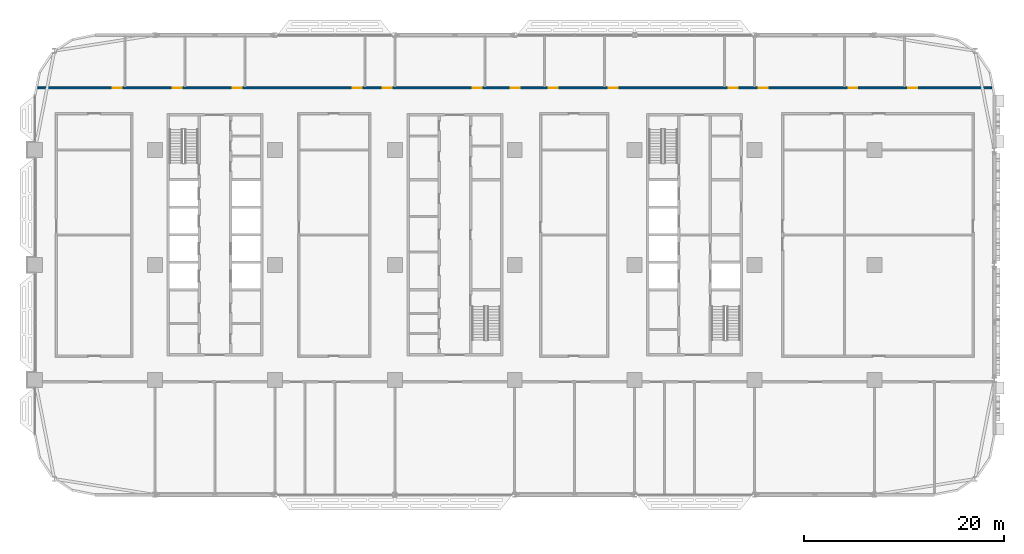
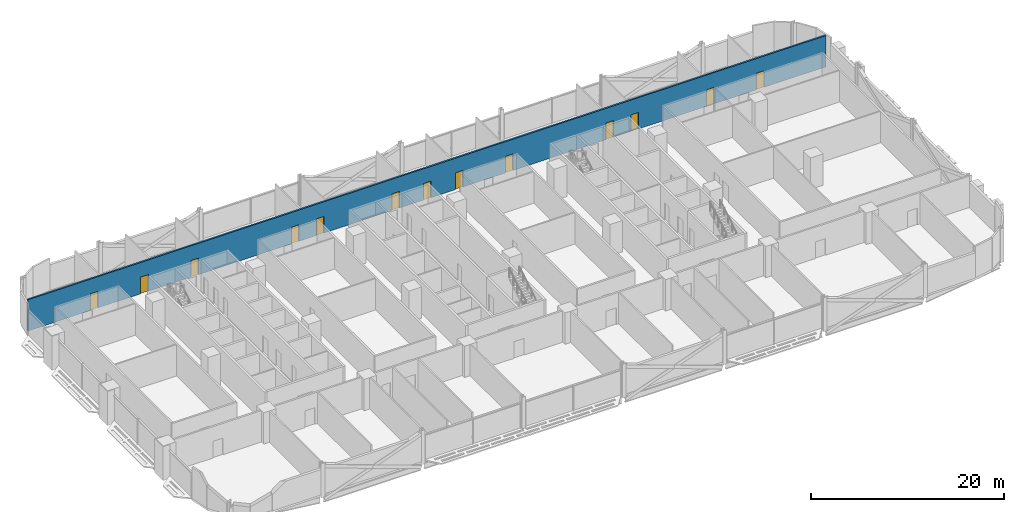
# One storey, part 16 of 30: 13 doors, 1 wall, 13 openings.
"""IFC4 building model written with IfcOpenShell, lengths in metres."""

from ifc_helpers import new_model, si_unit, direction, frame, frame_2d, origin, place, context, subcontext, project, spatial, rectangle, extrude, material, layer, layer_set, type_object, element, fill, save


model = new_model("IFC4")

# Units and contexts
model_context = context("Model", 3, precision=1e-05, world=origin(), true_north=direction((0.0, 1.0)))
body_context = subcontext(model_context, "Body", "Model", "MODEL_VIEW")
ifc_project = project(units=[si_unit("LENGTHUNIT", "METRE"), si_unit("AREAUNIT", "SQUARE_METRE"), si_unit("VOLUMEUNIT", "CUBIC_METRE"), si_unit("PLANEANGLEUNIT", "RADIAN"), si_unit("MASSUNIT", "GRAM", prefix="KILO")], contexts=[model_context])

# Site, building, storey
site_placement = place(None, origin())
site = spatial("IfcSite", under=ifc_project, at=site_placement, CompositionType="ELEMENT")
building_placement = place(site_placement, origin())
building = spatial("IfcBuilding", under=site, at=building_placement, Name="Mahtab Terrace Research Tower", CompositionType="ELEMENT")
storey_placement = place(building_placement, frame((0.0, 0.0, 50.300048828125)))
storey = spatial("IfcBuildingStorey", under=building, at=storey_placement, Name="L11", CompositionType="ELEMENT", Elevation=50.300048828125)

# Wall, openings, doors
ifc_material_1 = material(Name="Gypsum board corridor wall on steel studs", Category="steel")
ifc_layer = layer(ifc_material_1, 0.199951171875)
ifc_layer_set = layer_set([ifc_layer], Name="WALL CORRIDOR 200")
wall_type = type_object("IfcWallType", Name="WALL CORRIDOR 200", PredefinedType="PARTITIONING", material=ifc_layer_set)
wall_placement = place(storey_placement, frame((-41.707763671875, 17.699951171875, 0.0), z_axis=(0.0, 0.0, 1.0), x_axis=(1.0, 0.0, 0.0)))
wall = element("IfcWall", 1, at=wall_placement, inside=storey, type_object=wall_type, Name="L11-W026", PredefinedType="PARTITIONING", context=body_context, shape_type="SweptSolid", body=[
    extrude(rectangle(XDim=95.41552734375, YDim=0.199951171875, at=frame_2d((47.707763671875, 0.0))), origin(), (0.0, 0.0, 1.0), 3.9599609375),
])
opening_1_placement = place(wall_placement, frame((7.5, 0.0, 0.0)))
opening_1 = element("IfcOpeningElement", 2, at=opening_1_placement, cuts=wall, Name="Opening L11-131", PredefinedType="OPENING", context=body_context, shape_type="SweptSolid", body=[
    extrude(rectangle(XDim=0.89990234375, YDim=2.10009765625, at=frame_2d((0.449951171875, 1.050048828125))), frame((0.0, 0.10986328125, 0.0), z_axis=(0.0, -1.0, 0.0), x_axis=(1.0, 0.0, 0.0)), (0.0, 0.0, 1.0), 0.219970703125),
])
opening_2_placement = place(wall_placement, frame((13.5, 0.0, 0.0)))
opening_2 = element("IfcOpeningElement", 3, at=opening_2_placement, cuts=wall, Name="Opening L11-132", PredefinedType="OPENING", context=body_context, shape_type="SweptSolid", body=[
    extrude(rectangle(XDim=0.89990234375, YDim=2.10009765625, at=frame_2d((0.449951171875, 1.050048828125))), frame((0.0, 0.10986328125, 0.0), z_axis=(0.0, -1.0, 0.0), x_axis=(1.0, 0.0, 0.0)), (0.0, 0.0, 1.0), 0.219970703125),
])
opening_3_placement = place(wall_placement, frame((19.5, 0.0, 0.0)))
opening_3 = element("IfcOpeningElement", 4, at=opening_3_placement, cuts=wall, Name="Opening L11-133", PredefinedType="OPENING", context=body_context, shape_type="SweptSolid", body=[
    extrude(rectangle(XDim=0.89990234375, YDim=2.10009765625, at=frame_2d((0.449951171875, 1.050048828125))), frame((0.0, 0.10986328125, 0.0), z_axis=(0.0, -1.0, 0.0), x_axis=(1.0, 0.0, 0.0)), (0.0, 0.0, 1.0), 0.219970703125),
])
opening_4_placement = place(wall_placement, frame((31.5, 0.0, 0.0)))
opening_4 = element("IfcOpeningElement", 5, at=opening_4_placement, cuts=wall, Name="Opening L11-134", PredefinedType="OPENING", context=body_context, shape_type="SweptSolid", body=[
    extrude(rectangle(XDim=0.89990234375, YDim=2.10009765625, at=frame_2d((0.449951171875, 1.050048828125))), frame((0.0, 0.10986328125, 0.0), z_axis=(0.0, -1.0, 0.0), x_axis=(1.0, 0.0, 0.0)), (0.0, 0.0, 1.0), 0.219970703125),
])
opening_5_placement = place(wall_placement, frame((34.5, 0.0, 0.0)))
opening_5 = element("IfcOpeningElement", 6, at=opening_5_placement, cuts=wall, Name="Opening L11-135", PredefinedType="OPENING", context=body_context, shape_type="SweptSolid", body=[
    extrude(rectangle(XDim=0.89990234375, YDim=2.10009765625, at=frame_2d((0.449951171875, 1.050048828125))), frame((0.0, 0.10986328125, 0.0), z_axis=(0.0, -1.0, 0.0), x_axis=(1.0, 0.0, 0.0)), (0.0, 0.0, 1.0), 0.219970703125),
])
opening_6_placement = place(wall_placement, frame((43.5, 0.0, 0.0)))
opening_6 = element("IfcOpeningElement", 7, at=opening_6_placement, cuts=wall, Name="Opening L11-136", PredefinedType="OPENING", context=body_context, shape_type="SweptSolid", body=[
    extrude(rectangle(XDim=0.89990234375, YDim=2.10009765625, at=frame_2d((0.449951171875, 1.050048828125))), frame((0.0, 0.10986328125, 0.0), z_axis=(0.0, -1.0, 0.0), x_axis=(1.0, 0.0, 0.0)), (0.0, 0.0, 1.0), 0.219970703125),
])
opening_7_placement = place(wall_placement, frame((47.300048828125, 0.0, 0.0)))
opening_7 = element("IfcOpeningElement", 8, at=opening_7_placement, cuts=wall, Name="Opening L11-137", PredefinedType="OPENING", context=body_context, shape_type="SweptSolid", body=[
    extrude(rectangle(XDim=0.89990234375, YDim=2.10009765625, at=frame_2d((0.449951171875, 1.050048828125))), frame((0.0, 0.10986328125, 0.0), z_axis=(0.0, -1.0, 0.0), x_axis=(1.0, 0.0, 0.0)), (0.0, 0.0, 1.0), 0.219970703125),
])
opening_8_placement = place(wall_placement, frame((51.10009765625, 0.0, 0.0)))
opening_8 = element("IfcOpeningElement", 9, at=opening_8_placement, cuts=wall, Name="Opening L11-138", PredefinedType="OPENING", context=body_context, shape_type="SweptSolid", body=[
    extrude(rectangle(XDim=0.89990234375, YDim=2.10009765625, at=frame_2d((0.449951171875, 1.050048828125))), frame((0.0, 0.10986328125, 0.0), z_axis=(0.0, -1.0, 0.0), x_axis=(1.0, 0.0, 0.0)), (0.0, 0.0, 1.0), 0.219970703125),
])
opening_9_placement = place(wall_placement, frame((57.10009765625, 0.0, 0.0)))
opening_9 = element("IfcOpeningElement", 10, at=opening_9_placement, cuts=wall, Name="Opening L11-139", PredefinedType="OPENING", context=body_context, shape_type="SweptSolid", body=[
    extrude(rectangle(XDim=0.89990234375, YDim=2.10009765625, at=frame_2d((0.449951171875, 1.050048828125))), frame((0.0, 0.10986328125, 0.0), z_axis=(0.0, -1.0, 0.0), x_axis=(1.0, 0.0, 0.0)), (0.0, 0.0, 1.0), 0.219970703125),
])
opening_10_placement = place(wall_placement, frame((69.10009765625, 0.0, 0.0)))
opening_10 = element("IfcOpeningElement", 11, at=opening_10_placement, cuts=wall, Name="Opening L11-140", PredefinedType="OPENING", context=body_context, shape_type="SweptSolid", body=[
    extrude(rectangle(XDim=0.89990234375, YDim=2.10009765625, at=frame_2d((0.449951171875, 1.050048828125))), frame((0.0, 0.10986328125, 0.0), z_axis=(0.0, -1.0, 0.0), x_axis=(1.0, 0.0, 0.0)), (0.0, 0.0, 1.0), 0.219970703125),
])
opening_11_placement = place(wall_placement, frame((72.10009765625, 0.0, 0.0)))
opening_11 = element("IfcOpeningElement", 12, at=opening_11_placement, cuts=wall, Name="Opening L11-141", PredefinedType="OPENING", context=body_context, shape_type="SweptSolid", body=[
    extrude(rectangle(XDim=0.89990234375, YDim=2.10009765625, at=frame_2d((0.449951171875, 1.050048828125))), frame((0.0, 0.10986328125, 0.0), z_axis=(0.0, -1.0, 0.0), x_axis=(1.0, 0.0, 0.0)), (0.0, 0.0, 1.0), 0.219970703125),
])
opening_12_placement = place(wall_placement, frame((81.10009765625, 0.0, 0.0)))
opening_12 = element("IfcOpeningElement", 13, at=opening_12_placement, cuts=wall, Name="Opening L11-142", PredefinedType="OPENING", context=body_context, shape_type="SweptSolid", body=[
    extrude(rectangle(XDim=0.89990234375, YDim=2.10009765625, at=frame_2d((0.449951171875, 1.050048828125))), frame((0.0, 0.10986328125, 0.0), z_axis=(0.0, -1.0, 0.0), x_axis=(1.0, 0.0, 0.0)), (0.0, 0.0, 1.0), 0.219970703125),
])
opening_13_placement = place(wall_placement, frame((87.10009765625, 0.0, 0.0)))
opening_13 = element("IfcOpeningElement", 14, at=opening_13_placement, cuts=wall, Name="Opening L11-143", PredefinedType="OPENING", context=body_context, shape_type="SweptSolid", body=[
    extrude(rectangle(XDim=0.89990234375, YDim=2.10009765625, at=frame_2d((0.449951171875, 1.050048828125))), frame((0.0, 0.10986328125, 0.0), z_axis=(0.0, -1.0, 0.0), x_axis=(1.0, 0.0, 0.0)), (0.0, 0.0, 1.0), 0.219970703125),
])
ifc_material_2 = material(Name="Timber door leaf in steel frame", Category="steel")
door_type = type_object("IfcDoorType", Name="DOOR 0900X2100 FD30S", OperationType="SINGLE_SWING_LEFT", PredefinedType="DOOR", material=ifc_material_2)
door_1_placement = place(opening_1_placement, origin())
door_1 = element("IfcDoor", 15, at=door_1_placement, inside=storey, type_object=door_type, Name="Door L11-131", OperationType="SINGLE_SWING_LEFT", OverallHeight=2.10009765625, OverallWidth=0.89990234375, PredefinedType="DOOR", context=body_context, shape_type="SweptSolid", body=[
    extrude(rectangle(XDim=0.89990234375, YDim=2.10009765625, at=frame_2d((0.449951171875, 1.050048828125))), frame((0.0, 0.02490234375, 0.0), z_axis=(0.0, -1.0, 0.0), x_axis=(1.0, 0.0, 0.0)), (0.0, 0.0, 1.0), 0.050048828125),
])
fill(opening_1, door_1)
door_2_placement = place(opening_2_placement, origin())
door_2 = element("IfcDoor", 16, at=door_2_placement, inside=storey, type_object=door_type, Name="Door L11-132", OperationType="SINGLE_SWING_LEFT", OverallHeight=2.10009765625, OverallWidth=0.89990234375, PredefinedType="DOOR", context=body_context, shape_type="SweptSolid", body=[
    extrude(rectangle(XDim=0.89990234375, YDim=2.10009765625, at=frame_2d((0.449951171875, 1.050048828125))), frame((0.0, 0.02490234375, 0.0), z_axis=(0.0, -1.0, 0.0), x_axis=(1.0, 0.0, 0.0)), (0.0, 0.0, 1.0), 0.050048828125),
])
fill(opening_2, door_2)
door_3_placement = place(opening_3_placement, origin())
door_3 = element("IfcDoor", 17, at=door_3_placement, inside=storey, type_object=door_type, Name="Door L11-133", OperationType="SINGLE_SWING_LEFT", OverallHeight=2.10009765625, OverallWidth=0.89990234375, PredefinedType="DOOR", context=body_context, shape_type="SweptSolid", body=[
    extrude(rectangle(XDim=0.89990234375, YDim=2.10009765625, at=frame_2d((0.449951171875, 1.050048828125))), frame((0.0, 0.02490234375, 0.0), z_axis=(0.0, -1.0, 0.0), x_axis=(1.0, 0.0, 0.0)), (0.0, 0.0, 1.0), 0.050048828125),
])
fill(opening_3, door_3)
door_4_placement = place(opening_4_placement, origin())
door_4 = element("IfcDoor", 18, at=door_4_placement, inside=storey, type_object=door_type, Name="Door L11-134", OperationType="SINGLE_SWING_LEFT", OverallHeight=2.10009765625, OverallWidth=0.89990234375, PredefinedType="DOOR", context=body_context, shape_type="SweptSolid", body=[
    extrude(rectangle(XDim=0.89990234375, YDim=2.10009765625, at=frame_2d((0.449951171875, 1.050048828125))), frame((0.0, 0.02490234375, 0.0), z_axis=(0.0, -1.0, 0.0), x_axis=(1.0, 0.0, 0.0)), (0.0, 0.0, 1.0), 0.050048828125),
])
fill(opening_4, door_4)
door_5_placement = place(opening_5_placement, origin())
door_5 = element("IfcDoor", 19, at=door_5_placement, inside=storey, type_object=door_type, Name="Door L11-135", OperationType="SINGLE_SWING_LEFT", OverallHeight=2.10009765625, OverallWidth=0.89990234375, PredefinedType="DOOR", context=body_context, shape_type="SweptSolid", body=[
    extrude(rectangle(XDim=0.89990234375, YDim=2.10009765625, at=frame_2d((0.449951171875, 1.050048828125))), frame((0.0, 0.02490234375, 0.0), z_axis=(0.0, -1.0, 0.0), x_axis=(1.0, 0.0, 0.0)), (0.0, 0.0, 1.0), 0.050048828125),
])
fill(opening_5, door_5)
door_6_placement = place(opening_6_placement, origin())
door_6 = element("IfcDoor", 20, at=door_6_placement, inside=storey, type_object=door_type, Name="Door L11-136", OperationType="SINGLE_SWING_LEFT", OverallHeight=2.10009765625, OverallWidth=0.89990234375, PredefinedType="DOOR", context=body_context, shape_type="SweptSolid", body=[
    extrude(rectangle(XDim=0.89990234375, YDim=2.10009765625, at=frame_2d((0.449951171875, 1.050048828125))), frame((0.0, 0.02490234375, 0.0), z_axis=(0.0, -1.0, 0.0), x_axis=(1.0, 0.0, 0.0)), (0.0, 0.0, 1.0), 0.050048828125),
])
fill(opening_6, door_6)
door_7_placement = place(opening_7_placement, origin())
door_7 = element("IfcDoor", 21, at=door_7_placement, inside=storey, type_object=door_type, Name="Door L11-137", OperationType="SINGLE_SWING_RIGHT", OverallHeight=2.10009765625, OverallWidth=0.89990234375, PredefinedType="DOOR", context=body_context, shape_type="SweptSolid", body=[
    extrude(rectangle(XDim=0.89990234375, YDim=2.10009765625, at=frame_2d((0.449951171875, 1.050048828125))), frame((0.0, 0.02490234375, 0.0), z_axis=(0.0, -1.0, 0.0), x_axis=(1.0, 0.0, 0.0)), (0.0, 0.0, 1.0), 0.050048828125),
])
fill(opening_7, door_7)
door_8_placement = place(opening_8_placement, origin())
door_8 = element("IfcDoor", 22, at=door_8_placement, inside=storey, type_object=door_type, Name="Door L11-138", OperationType="SINGLE_SWING_RIGHT", OverallHeight=2.10009765625, OverallWidth=0.89990234375, PredefinedType="DOOR", context=body_context, shape_type="SweptSolid", body=[
    extrude(rectangle(XDim=0.89990234375, YDim=2.10009765625, at=frame_2d((0.449951171875, 1.050048828125))), frame((0.0, 0.02490234375, 0.0), z_axis=(0.0, -1.0, 0.0), x_axis=(1.0, 0.0, 0.0)), (0.0, 0.0, 1.0), 0.050048828125),
])
fill(opening_8, door_8)
door_9_placement = place(opening_9_placement, origin())
door_9 = element("IfcDoor", 23, at=door_9_placement, inside=storey, type_object=door_type, Name="Door L11-139", OperationType="SINGLE_SWING_RIGHT", OverallHeight=2.10009765625, OverallWidth=0.89990234375, PredefinedType="DOOR", context=body_context, shape_type="SweptSolid", body=[
    extrude(rectangle(XDim=0.89990234375, YDim=2.10009765625, at=frame_2d((0.449951171875, 1.050048828125))), frame((0.0, 0.02490234375, 0.0), z_axis=(0.0, -1.0, 0.0), x_axis=(1.0, 0.0, 0.0)), (0.0, 0.0, 1.0), 0.050048828125),
])
fill(opening_9, door_9)
door_10_placement = place(opening_10_placement, origin())
door_10 = element("IfcDoor", 24, at=door_10_placement, inside=storey, type_object=door_type, Name="Door L11-140", OperationType="SINGLE_SWING_RIGHT", OverallHeight=2.10009765625, OverallWidth=0.89990234375, PredefinedType="DOOR", context=body_context, shape_type="SweptSolid", body=[
    extrude(rectangle(XDim=0.89990234375, YDim=2.10009765625, at=frame_2d((0.449951171875, 1.050048828125))), frame((0.0, 0.02490234375, 0.0), z_axis=(0.0, -1.0, 0.0), x_axis=(1.0, 0.0, 0.0)), (0.0, 0.0, 1.0), 0.050048828125),
])
fill(opening_10, door_10)
door_11_placement = place(opening_11_placement, origin())
door_11 = element("IfcDoor", 25, at=door_11_placement, inside=storey, type_object=door_type, Name="Door L11-141", OperationType="SINGLE_SWING_RIGHT", OverallHeight=2.10009765625, OverallWidth=0.89990234375, PredefinedType="DOOR", context=body_context, shape_type="SweptSolid", body=[
    extrude(rectangle(XDim=0.89990234375, YDim=2.10009765625, at=frame_2d((0.449951171875, 1.050048828125))), frame((0.0, 0.02490234375, 0.0), z_axis=(0.0, -1.0, 0.0), x_axis=(1.0, 0.0, 0.0)), (0.0, 0.0, 1.0), 0.050048828125),
])
fill(opening_11, door_11)
door_12_placement = place(opening_12_placement, origin())
door_12 = element("IfcDoor", 26, at=door_12_placement, inside=storey, type_object=door_type, Name="Door L11-142", OperationType="SINGLE_SWING_RIGHT", OverallHeight=2.10009765625, OverallWidth=0.89990234375, PredefinedType="DOOR", context=body_context, shape_type="SweptSolid", body=[
    extrude(rectangle(XDim=0.89990234375, YDim=2.10009765625, at=frame_2d((0.449951171875, 1.050048828125))), frame((0.0, 0.02490234375, 0.0), z_axis=(0.0, -1.0, 0.0), x_axis=(1.0, 0.0, 0.0)), (0.0, 0.0, 1.0), 0.050048828125),
])
fill(opening_12, door_12)
door_13_placement = place(opening_13_placement, origin())
door_13 = element("IfcDoor", 27, at=door_13_placement, inside=storey, type_object=door_type, Name="Door L11-143", OperationType="SINGLE_SWING_RIGHT", OverallHeight=2.10009765625, OverallWidth=0.89990234375, PredefinedType="DOOR", context=body_context, shape_type="SweptSolid", body=[
    extrude(rectangle(XDim=0.89990234375, YDim=2.10009765625, at=frame_2d((0.449951171875, 1.050048828125))), frame((0.0, 0.02490234375, 0.0), z_axis=(0.0, -1.0, 0.0), x_axis=(1.0, 0.0, 0.0)), (0.0, 0.0, 1.0), 0.050048828125),
])
fill(opening_13, door_13)

save(model, "model.ifc")
